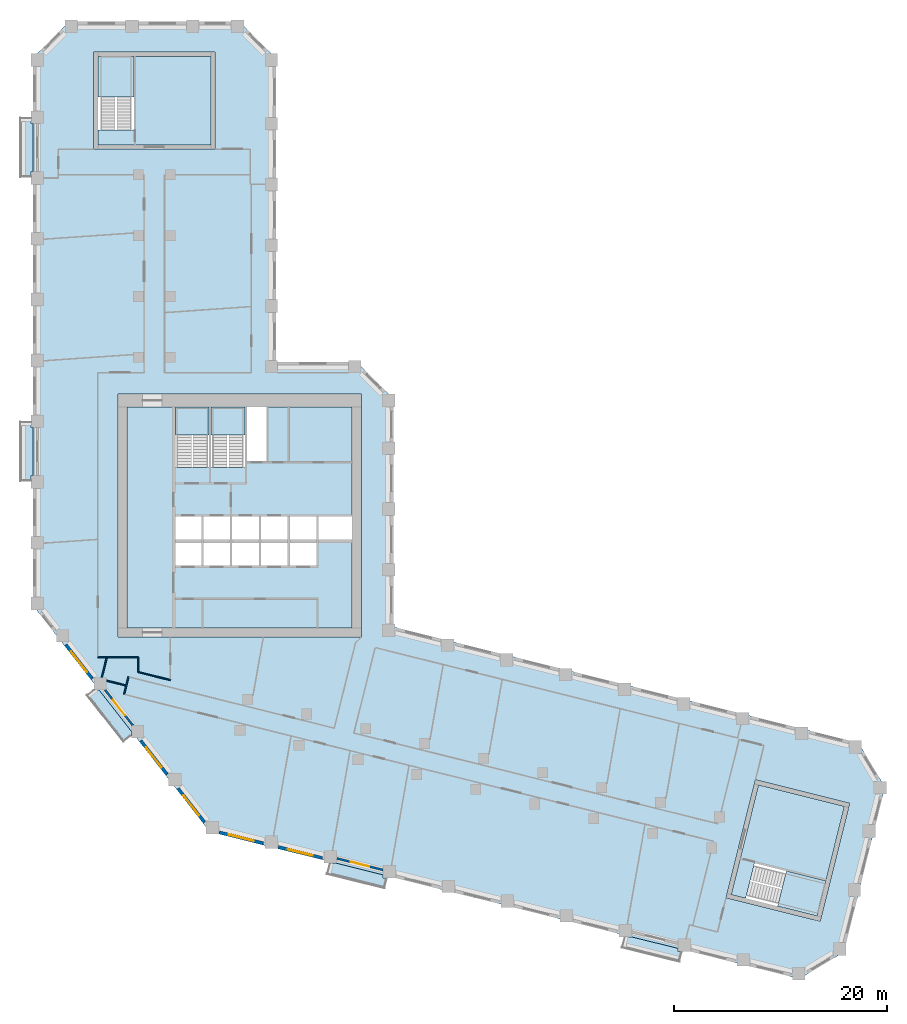
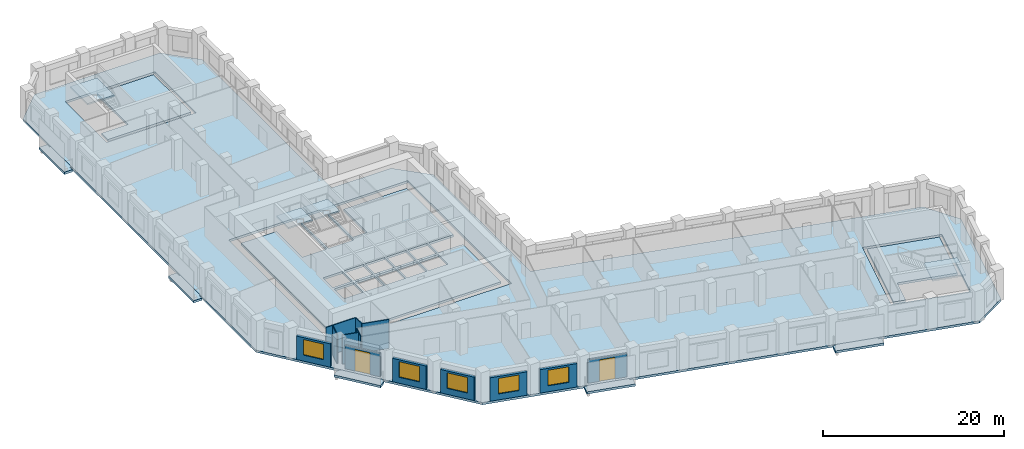
# One storey, part 2 of 10: 13 slabs, 13 walls, 5 windows, 2 doors, 7 openings, 4 elements without a shape of their own.
"""IFC4 building model written with IfcOpenShell, lengths in metres."""

from ifc_helpers import new_model, si_unit, direction, frame, frame_2d, origin, place, context, subcontext, project, spatial, polyline, rectangle, outline, extrude, material, layer, layer_set, type_object, element, fill, aggregate, save


model = new_model("IFC4")

# Units and contexts
model_context = context("Model", 3, precision=1e-05, world=origin(), true_north=direction((0.0, 1.0)))
body_context = subcontext(model_context, "Body", "Model", "MODEL_VIEW")
ifc_project = project(units=[si_unit("LENGTHUNIT", "METRE"), si_unit("AREAUNIT", "SQUARE_METRE"), si_unit("VOLUMEUNIT", "CUBIC_METRE"), si_unit("PLANEANGLEUNIT", "RADIAN"), si_unit("MASSUNIT", "GRAM", prefix="KILO")], contexts=[model_context])

# Site, building, storey
site_placement = place(None, origin())
site = spatial("IfcSite", under=ifc_project, at=site_placement, CompositionType="ELEMENT")
building_placement = place(site_placement, origin())
building = spatial("IfcBuilding", under=site, at=building_placement, Name="Meshkara Civic Tower", CompositionType="ELEMENT")
storey_placement = place(building_placement, frame((0.0, 0.0, 199.199951171875)))
storey = spatial("IfcBuildingStorey", under=building, at=storey_placement, Name="L45", CompositionType="ELEMENT", Elevation=199.199951171875)

# Slabs
ifc_material_1 = material(Name="Concrete C40", Category="concrete")
ifc_layer_1 = layer(ifc_material_1, 0.300048828125)
ifc_layer_set_1 = layer_set([ifc_layer_1], Name="BALCONY SLAB")
slab_type_1 = type_object("IfcSlabType", Name="BALCONY SLAB", PredefinedType="FLOOR", material=ifc_layer_set_1)
slab_1_placement = place(storey_placement, frame((0.0, 0.0, -0.300048828125)))
element("IfcSlab", 1, at=slab_1_placement, inside=storey, type_object=slab_type_1, Name="Balcony slab", PredefinedType="FLOOR", context=body_context, shape_type="SweptSolid", body=[
    extrude(outline(polyline([(-1.199951171875, 57.215087890625), (-1.199951171875, 62.794921875), (-0.14990234375, 62.794921875), (-0.14990234375, 62.2548828125), (0.0, 62.2548828125), (0.0, 57.7548828125), (-0.14990234375, 57.7548828125), (-0.14990234375, 57.215087890625), (-1.199951171875, 57.215087890625)])), origin(), (0.0, 0.0, 1.0), 0.300048828125),
])
slab_2_placement = place(storey_placement, frame((0.0, 0.0, -0.300048828125)))
element("IfcSlab", 2, at=slab_2_placement, inside=storey, type_object=slab_type_1, Name="Balcony slab", PredefinedType="FLOOR", context=body_context, shape_type="SweptSolid", body=[
    extrude(outline(polyline([(-1.199951171875, 28.715087890625), (-1.199951171875, 34.294921875), (-0.14990234375, 34.294921875), (-0.14990234375, 33.7548828125), (0.0, 33.7548828125), (0.0, 29.2548828125), (-0.14990234375, 29.2548828125), (-0.14990234375, 28.715087890625), (-1.199951171875, 28.715087890625)])), origin(), (0.0, 0.0, 1.0), 0.300048828125),
])
slab_3_placement = place(storey_placement, frame((0.0, 0.0, -0.300048828125)))
element("IfcSlab", 3, at=slab_3_placement, inside=storey, type_object=slab_type_1, Name="Balcony slab", PredefinedType="FLOOR", context=body_context, shape_type="SweptSolid", body=[
    extrude(outline(polyline([(8.49609375, 4.27587890625), (5.06005859375, 8.674072265625), (5.722900390625, 9.19189453125), (5.722900390625, 9.136962890625), (6.220947265625, 9.136962890625), (9.23291015625, 5.281982421875), (9.23291015625, 4.85205078125), (8.49609375, 4.27587890625)])), origin(), (0.0, 0.0, 1.0), 0.300048828125),
])
slab_4_placement = place(storey_placement, frame((0.0, 0.0, -0.300048828125)))
element("IfcSlab", 4, at=slab_4_placement, inside=storey, type_object=slab_type_1, Name="Balcony slab", PredefinedType="FLOOR", context=body_context, shape_type="SweptSolid", body=[
    extrude(outline(polyline([(32.986083984375, -9.4609375), (27.571044921875, -8.111083984375), (27.823974609375, -7.095947265625), (28.4599609375, -7.095947265625), (32.843017578125, -8.18896484375), (32.843017578125, -8.47509765625), (33.23193359375, -8.47509765625), (32.986083984375, -9.4609375)])), origin(), (0.0, 0.0, 1.0), 0.300048828125),
])
slab_5_placement = place(storey_placement, frame((0.0, 0.0, -0.300048828125)))
element("IfcSlab", 5, at=slab_5_placement, inside=storey, type_object=slab_type_1, Name="Balcony slab", PredefinedType="FLOOR", context=body_context, shape_type="SweptSolid", body=[
    extrude(outline(polyline([(60.639892578125, -16.35595703125), (55.22509765625, -15.006103515625), (55.47802734375, -13.989990234375), (56.112060546875, -13.989990234375), (60.4970703125, -15.0830078125), (60.4970703125, -15.368896484375), (60.885986328125, -15.368896484375), (60.639892578125, -16.35595703125)])), origin(), (0.0, 0.0, 1.0), 0.300048828125),
])
ifc_material_2 = material(Name="Concrete C40/50", Category="concrete")
ifc_layer_2 = layer(ifc_material_2, 0.300048828125)
ifc_layer_set_2 = layer_set([ifc_layer_2], Name="Core floor slab 300 C40/50")
slab_type_2 = type_object("IfcSlabType", Name="Core floor slab 300 C40/50", PredefinedType="FLOOR", material=ifc_layer_set_2)
slab_6_placement = place(storey_placement, frame((0.0, 0.0, -0.300048828125)))
element("IfcSlab", 6, at=slab_6_placement, inside=storey, type_object=slab_type_2, Name="Core floor K", PredefinedType="FLOOR", context=body_context, shape_type="SweptSolid", body=[
    extrude(outline(polyline([(8.85009765625, 35.699951171875), (13.3701171875, 35.699951171875), (13.3701171875, 30.00146484375), (16.5, 30.00146484375), (16.5, 35.699951171875), (16.699951171875, 35.699951171875), (16.699951171875, 30.00146484375), (19.89990234375, 30.00146484375), (19.89990234375, 35.699951171875), (20.10009765625, 35.699951171875), (20.10009765625, 30.574951171875), (21.925048828125, 30.574951171875), (21.925048828125, 35.699951171875), (29.949951171875, 35.699951171875), (29.949951171875, 25.39990234375), (26.800048828125, 25.39990234375), (26.800048828125, 23.27001953125), (29.949951171875, 23.27001953125), (29.949951171875, 14.949951171875), (8.85009765625, 14.949951171875), (8.85009765625, 35.699951171875)]), holes=[polyline([(15.800048828125, 22.929931640625), (13.3701171875, 22.929931640625), (13.3701171875, 20.800048828125), (15.800048828125, 20.800048828125), (15.800048828125, 22.929931640625)]), polyline([(16.0, 22.929931640625), (16.0, 20.800048828125), (18.5, 20.800048828125), (18.5, 22.929931640625), (16.0, 22.929931640625)]), polyline([(18.699951171875, 22.929931640625), (18.699951171875, 20.800048828125), (21.199951171875, 20.800048828125), (21.199951171875, 22.929931640625), (18.699951171875, 22.929931640625)]), polyline([(15.800048828125, 23.27001953125), (15.800048828125, 25.39990234375), (13.3701171875, 25.39990234375), (13.3701171875, 23.27001953125), (15.800048828125, 23.27001953125)]), polyline([(16.0, 25.39990234375), (16.0, 23.27001953125), (18.5, 23.27001953125), (18.5, 25.39990234375), (16.0, 25.39990234375)]), polyline([(23.89990234375, 20.800048828125), (23.89990234375, 22.929931640625), (21.39990234375, 22.929931640625), (21.39990234375, 20.800048828125), (23.89990234375, 20.800048828125)]), polyline([(24.10009765625, 20.800048828125), (26.60009765625, 20.800048828125), (26.60009765625, 22.929931640625), (24.10009765625, 22.929931640625), (24.10009765625, 20.800048828125)]), polyline([(18.699951171875, 25.39990234375), (18.699951171875, 23.27001953125), (21.199951171875, 23.27001953125), (21.199951171875, 25.39990234375), (18.699951171875, 25.39990234375)]), polyline([(21.39990234375, 23.27001953125), (23.89990234375, 23.27001953125), (23.89990234375, 25.39990234375), (21.39990234375, 25.39990234375), (21.39990234375, 23.27001953125)]), polyline([(24.10009765625, 23.27001953125), (26.60009765625, 23.27001953125), (26.60009765625, 25.39990234375), (24.10009765625, 25.39990234375), (24.10009765625, 23.27001953125)])]), origin(), (0.0, 0.0, 1.0), 0.300048828125),
])
slab_7_placement = place(storey_placement, frame((0.0, 0.0, -0.300048828125)))
element("IfcSlab", 7, at=slab_7_placement, inside=storey, type_object=slab_type_2, Name="Core floor EA", PredefinedType="FLOOR", context=body_context, shape_type="SweptSolid", body=[
    extrude(outline(polyline([(16.699951171875, 60.27001953125), (16.699951171875, 68.570068359375), (9.5, 68.570068359375), (9.5, 61.67138671875), (6.10009765625, 61.67138671875), (6.10009765625, 60.27001953125), (16.699951171875, 60.27001953125)])), origin(), (0.0, 0.0, 1.0), 0.300048828125),
])
slab_8_placement = place(storey_placement, frame((0.0, 0.0, -0.300048828125)))
element("IfcSlab", 8, at=slab_8_placement, inside=storey, type_object=slab_type_2, Name="Core floor EB", PredefinedType="FLOOR", context=body_context, shape_type="SweptSolid", body=[
    extrude(outline(polyline([(68.050537109375, 0.244384765625), (76.10400390625, -1.763671875), (74.362060546875, -8.749755859375), (67.66845703125, -7.080810546875), (66.845947265625, -10.3798828125), (65.486083984375, -10.040771484375), (68.050537109375, 0.244384765625)])), origin(), (0.0, 0.0, 1.0), 0.300048828125),
])

# Stair, slab
ifc_material_3 = material(Name="Precast concrete C40/50", Category="concrete")
stair_type = type_object("IfcStairType", Name="Exit stair half-turn 24 risers precast", PredefinedType="HALF_TURN_STAIR", material=ifc_material_3)
stair_1_placement = place(storey_placement, origin())
stair_1 = element("IfcStair", 9, at=stair_1_placement, inside=storey, type_object=stair_type, Name="L45 exit stair 1", PredefinedType="HALF_TURN_STAIR")
ifc_material_4 = material(Name="Precast concrete C40/50", Category="concrete")
ifc_layer_3 = layer(ifc_material_4, 0.199951171875)
ifc_layer_set_3 = layer_set([ifc_layer_3], Name="Exit stair landing 200")
slab_type_3 = type_object("IfcSlabType", Name="Exit stair landing 200", PredefinedType="LANDING", material=ifc_layer_set_3)
slab_9_placement = place(storey_placement, frame((0.0, 0.0, 1.900146484375)))
slab_9 = element("IfcSlab", 10, at=slab_9_placement, type_object=slab_type_3, Name="ST1 landing 1", PredefinedType="LANDING", context=body_context, shape_type="SweptSolid", body=[
    extrude(outline(polyline([(16.5, 33.07861328125), (16.5, 35.699951171875), (13.3701171875, 35.699951171875), (13.3701171875, 33.07861328125), (16.5, 33.07861328125)])), origin(), (0.0, 0.0, 1.0), 0.199951171875),
])
aggregate(stair_1, [slab_9])

stair_2_placement = place(storey_placement, origin())
stair_2 = element("IfcStair", 11, at=stair_2_placement, inside=storey, type_object=stair_type, Name="L45 exit stair 2", PredefinedType="HALF_TURN_STAIR")
slab_10_placement = place(storey_placement, frame((0.0, 0.0, 1.900146484375)))
slab_10 = element("IfcSlab", 12, at=slab_10_placement, type_object=slab_type_3, Name="ST2 landing 1", PredefinedType="LANDING", context=body_context, shape_type="SweptSolid", body=[
    extrude(outline(polyline([(19.89990234375, 33.07861328125), (19.89990234375, 35.699951171875), (16.699951171875, 35.699951171875), (16.699951171875, 33.07861328125), (19.89990234375, 33.07861328125)])), origin(), (0.0, 0.0, 1.0), 0.199951171875),
])
aggregate(stair_2, [slab_10])

stair_3_placement = place(storey_placement, origin())
stair_3 = element("IfcStair", 13, at=stair_3_placement, inside=storey, type_object=stair_type, Name="L45 exit stair A from L35", PredefinedType="HALF_TURN_STAIR")
slab_11_placement = place(storey_placement, frame((0.0, 0.0, 1.900146484375)))
slab_11 = element("IfcSlab", 14, at=slab_11_placement, type_object=slab_type_3, Name="ESA3 landing 1", PredefinedType="LANDING", context=body_context, shape_type="SweptSolid", body=[
    extrude(outline(polyline([(9.5, 64.74853515625), (9.5, 68.570068359375), (6.10009765625, 68.570068359375), (6.10009765625, 64.74853515625), (9.5, 64.74853515625)])), origin(), (0.0, 0.0, 1.0), 0.199951171875),
])
aggregate(stair_3, [slab_11])

stair_4_placement = place(storey_placement, origin())
stair_4 = element("IfcStair", 15, at=stair_4_placement, inside=storey, type_object=stair_type, Name="L45 exit stair B from L35", PredefinedType="HALF_TURN_STAIR")
slab_12_placement = place(storey_placement, frame((0.0, 0.0, 1.900146484375)))
slab_12 = element("IfcSlab", 16, at=slab_12_placement, type_object=slab_type_3, Name="ESB3 landing 1", PredefinedType="LANDING", context=body_context, shape_type="SweptSolid", body=[
    extrude(outline(polyline([(69.831298828125, -11.124755859375), (73.5400390625, -12.049072265625), (74.3623046875, -8.7490234375), (70.653564453125, -7.82470703125), (69.831298828125, -11.124755859375)])), origin(), (0.0, 0.0, 1.0), 0.199951171875),
])
aggregate(stair_4, [slab_12])

# Slab
ifc_material_5 = material(Name="Concrete C50", Category="concrete")
ifc_layer_4 = layer(ifc_material_5, 0.300048828125)
ifc_layer_set_4 = layer_set([ifc_layer_4], Name="Post-tensioned flat slab 300 C50")
slab_type_4 = type_object("IfcSlabType", Name="Post-tensioned flat slab 300 C50", PredefinedType="FLOOR", material=ifc_layer_set_4)
slab_13_placement = place(storey_placement, frame((0.0, 0.0, -0.300048828125)))
element("IfcSlab", 17, at=slab_13_placement, inside=storey, type_object=slab_type_4, Name="Post-tensioned flat slab L45", PredefinedType="FLOOR", context=body_context, shape_type="SweptSolid", body=[
    extrude(outline(polyline([(76.044921875, -15.43505859375), (71.89892578125, -17.926025390625), (16.592041015625, -4.136962890625), (0.0, 17.10009765625), (0.0, 68.39990234375), (3.419921875, 71.820068359375), (19.3798828125, 71.820068359375), (22.800048828125, 68.39990234375), (22.800048828125, 39.89990234375), (30.3798828125, 39.89990234375), (33.800048828125, 36.47998046875), (33.800048828125, 15.071044921875), (77.4150390625, 4.196044921875), (79.906005859375, 0.051025390625), (76.044921875, -15.43505859375)]), holes=[polyline([(73.8310546875, -12.533935546875), (76.589111328125, -1.471923828125), (67.759033203125, 0.72900390625), (65.0009765625, -10.33203125), (73.8310546875, -12.533935546875)]), polyline([(8.0, 14.10009765625), (30.800048828125, 14.10009765625), (30.800048828125, 36.89990234375), (8.0, 36.89990234375), (8.0, 14.10009765625)]), polyline([(5.699951171875, 68.969970703125), (5.699951171875, 59.8701171875), (17.10009765625, 59.8701171875), (17.10009765625, 68.969970703125), (5.699951171875, 68.969970703125)])]), origin(), (0.0, 0.0, 1.0), 0.300048828125),
])

# Walls
ifc_material_6 = material(Name="Corridor wall 100")
ifc_layer_5 = layer(ifc_material_6, 0.10009765625)
ifc_layer_set_5 = layer_set([ifc_layer_5], Name="Corridor wall 100")
wall_type_1 = type_object("IfcWallType", Name="Corridor wall 100", PredefinedType="PARTITIONING", material=ifc_layer_set_5)
wall_1_placement = place(storey_placement, frame((6.10009765625, 12.199951171875, 0.0), z_axis=(0.0, 0.0, 1.0), x_axis=(1.0, 0.0, 0.0)))
element("IfcWall", 18, at=wall_1_placement, inside=storey, type_object=wall_type_1, Name="L45-W004", PredefinedType="PARTITIONING", context=body_context, shape_type="SweptSolid", body=[
    extrude(rectangle(XDim=3.7998046875, YDim=0.10009765625, at=frame_2d((1.89990234375, 0.0))), origin(), (0.0, 0.0, 1.0), 3.900146484375),
])
wall_2_placement = place(storey_placement, frame((8.972900390625, 10.382080078125, 0.0), z_axis=(0.0, 0.0, 1.0), x_axis=(-0.241650823739, -0.970363271866, 0.0)))
element("IfcWall", 19, at=wall_2_placement, inside=storey, type_object=wall_type_1, Name="L45-W008", PredefinedType="PARTITIONING", context=body_context, shape_type="SweptSolid", body=[
    extrude(rectangle(XDim=1.688232421875, YDim=0.10009765625, at=frame_2d((0.84423828125, 0.0))), origin(), (0.0, 0.0, 1.0), 3.900146484375),
])
wall_3_placement = place(storey_placement, frame((9.89990234375, 10.825927734375, 0.0), z_axis=(0.0, 0.0, 1.0), x_axis=(0.970290953223, -0.241941038466, 0.0)))
element("IfcWall", 20, at=wall_3_placement, inside=storey, type_object=wall_type_1, Name="L45-W009", PredefinedType="PARTITIONING", context=body_context, shape_type="SweptSolid", body=[
    extrude(rectangle(XDim=3.091796875, YDim=0.10009765625, at=frame_2d((1.5458984375, 0.0))), origin(), (0.0, 0.0, 1.0), 3.900146484375),
])
wall_4_placement = place(storey_placement, frame((9.89990234375, 12.199951171875, 0.0), z_axis=(0.0, 0.0, 1.0), x_axis=(0.0, -1.0, 0.0)))
element("IfcWall", 21, at=wall_4_placement, inside=storey, type_object=wall_type_1, Name="L45-W010", PredefinedType="PARTITIONING", context=body_context, shape_type="SweptSolid", body=[
    extrude(rectangle(XDim=1.3740234375, YDim=0.10009765625, at=frame_2d((0.68701171875, 0.0))), origin(), (0.0, 0.0, 1.0), 3.900146484375),
])

# Wall, opening, window
ifc_material_7 = material(Name="Insulated infill panel with bronze anodised aluminium cladding", Category="aluminium")
ifc_layer_6 = layer(ifc_material_7, 0.300048828125)
ifc_layer_set_6 = layer_set([ifc_layer_6], Name="EXTERNAL INFILL WALL 300")
wall_type_2 = type_object("IfcWallType", Name="EXTERNAL INFILL WALL 300", PredefinedType="SOLIDWALL", material=ifc_layer_set_6)
wall_5_placement = place(storey_placement, frame((3.095947265625, 13.381103515625, 0.0), z_axis=(0.0, 0.0, 1.0), x_axis=(0.615563820493, -0.78808704018, 0.0)))
wall_5 = element("IfcWall", 22, at=wall_5_placement, inside=storey, type_object=wall_type_2, Name="External wall", PredefinedType="SOLIDWALL", context=body_context, shape_type="SweptSolid", body=[
    extrude(rectangle(XDim=4.01611328125, YDim=0.300048828125, at=frame_2d((2.008056640625, 0.0))), origin(), (0.0, 0.0, 1.0), 3.150146484375),
])
opening_1_placement = place(wall_5_placement, frame((0.80810546875, 0.0, 0.800048828125)))
opening_1 = element("IfcOpeningElement", 23, at=opening_1_placement, cuts=wall_5, Name="Opening W7", PredefinedType="OPENING", context=body_context, shape_type="SweptSolid", body=[
    extrude(rectangle(XDim=2.39990234375, YDim=2.10009765625, at=frame_2d((1.199951171875, 1.050048828125))), frame((0.0, 0.159912109375, 0.0), z_axis=(0.0, -1.0, 0.0), x_axis=(1.0, 0.0, 0.0)), (0.0, 0.0, 1.0), 0.320068359375),
])
ifc_material_8 = material(Name="Tinted double glazing", Category="glass")
window_type = type_object("IfcWindowType", Name="WINDOW 2400x2100", PartitioningType="DOUBLE_PANEL_VERTICAL", PredefinedType="WINDOW", material=ifc_material_8)
window_1_placement = place(opening_1_placement, origin())
window_1 = element("IfcWindow", 24, at=window_1_placement, inside=storey, type_object=window_type, Name="Window", OverallHeight=2.10009765625, OverallWidth=2.39990234375, PartitioningType="DOUBLE_PANEL_VERTICAL", PredefinedType="WINDOW", context=body_context, shape_type="SweptSolid", body=[
    extrude(rectangle(XDim=2.39990234375, YDim=2.10009765625, at=frame_2d((1.199951171875, 1.050048828125))), frame((0.0, 0.030029296875, 0.0), z_axis=(0.0, -1.0, 0.0), x_axis=(1.0, 0.0, 0.0)), (0.0, 0.0, 1.0), 0.06005859375),
])
fill(opening_1, window_1)

wall_6_placement = place(storey_placement, frame((10.114990234375, 4.39697265625, 0.0), z_axis=(0.0, 0.0, 1.0), x_axis=(0.615644041972, -0.788024373725, 0.0)))
wall_6 = element("IfcWall", 25, at=wall_6_placement, inside=storey, type_object=wall_type_2, Name="External wall", PredefinedType="SOLIDWALL", context=body_context, shape_type="SweptSolid", body=[
    extrude(rectangle(XDim=4.01513671875, YDim=0.300048828125, at=frame_2d((2.007568359375, 0.0))), origin(), (0.0, 0.0, 1.0), 3.150146484375),
])
opening_2_placement = place(wall_6_placement, frame((0.806884765625, 0.0, 0.800048828125)))
opening_2 = element("IfcOpeningElement", 26, at=opening_2_placement, cuts=wall_6, Name="Opening W7", PredefinedType="OPENING", context=body_context, shape_type="SweptSolid", body=[
    extrude(rectangle(XDim=2.39990234375, YDim=2.10009765625, at=frame_2d((1.199951171875, 1.050048828125))), frame((0.0, 0.159912109375, 0.0), z_axis=(0.0, -1.0, 0.0), x_axis=(1.0, 0.0, 0.0)), (0.0, 0.0, 1.0), 0.320068359375),
])
window_2_placement = place(opening_2_placement, origin())
window_2 = element("IfcWindow", 27, at=window_2_placement, inside=storey, type_object=window_type, Name="Window", OverallHeight=2.10009765625, OverallWidth=2.39990234375, PartitioningType="DOUBLE_PANEL_VERTICAL", PredefinedType="WINDOW", context=body_context, shape_type="SweptSolid", body=[
    extrude(rectangle(XDim=2.39990234375, YDim=2.10009765625, at=frame_2d((1.199951171875, 1.050048828125))), frame((0.0, 0.030029296875, 0.0), z_axis=(0.0, -1.0, 0.0), x_axis=(1.0, 0.0, 0.0)), (0.0, 0.0, 1.0), 0.06005859375),
])
fill(opening_2, window_2)

wall_7_placement = place(storey_placement, frame((13.6240234375, -0.093994140625, 0.0), z_axis=(0.0, 0.0, 1.0), x_axis=(0.615526062586, -0.7881165309, 0.0)))
wall_7 = element("IfcWall", 28, at=wall_7_placement, inside=storey, type_object=wall_type_2, Name="External wall", PredefinedType="SOLIDWALL", context=body_context, shape_type="SweptSolid", body=[
    extrude(rectangle(XDim=4.015869140625, YDim=0.300048828125, at=frame_2d((2.0078125, 0.0))), origin(), (0.0, 0.0, 1.0), 3.150146484375),
])
opening_3_placement = place(wall_7_placement, frame((0.80810546875, 0.0, 0.800048828125)))
opening_3 = element("IfcOpeningElement", 29, at=opening_3_placement, cuts=wall_7, Name="Opening W7", PredefinedType="OPENING", context=body_context, shape_type="SweptSolid", body=[
    extrude(rectangle(XDim=2.39990234375, YDim=2.10009765625, at=frame_2d((1.199951171875, 1.050048828125))), frame((0.0, 0.159912109375, 0.0), z_axis=(0.0, -1.0, 0.0), x_axis=(1.0, 0.0, 0.0)), (0.0, 0.0, 1.0), 0.320068359375),
])
window_3_placement = place(opening_3_placement, origin())
window_3 = element("IfcWindow", 30, at=window_3_placement, inside=storey, type_object=window_type, Name="Window", OverallHeight=2.10009765625, OverallWidth=2.39990234375, PartitioningType="DOUBLE_PANEL_VERTICAL", PredefinedType="WINDOW", context=body_context, shape_type="SweptSolid", body=[
    extrude(rectangle(XDim=2.39990234375, YDim=2.10009765625, at=frame_2d((1.199951171875, 1.050048828125))), frame((0.0, 0.030029296875, 0.0), z_axis=(0.0, -1.0, 0.0), x_axis=(1.0, 0.0, 0.0)), (0.0, 0.0, 1.0), 0.06005859375),
])
fill(opening_3, window_3)

wall_8_placement = place(storey_placement, frame((17.48388671875, -4.205078125, 0.0), z_axis=(0.0, 0.0, 1.0), x_axis=(0.970318118028, -0.241832069473, 0.0)))
wall_8 = element("IfcWall", 31, at=wall_8_placement, inside=storey, type_object=wall_type_2, Name="External wall", PredefinedType="SOLIDWALL", context=body_context, shape_type="SweptSolid", body=[
    extrude(rectangle(XDim=4.24609375, YDim=0.300048828125, at=frame_2d((2.123046875, 0.0))), origin(), (0.0, 0.0, 1.0), 3.150146484375),
])
opening_4_placement = place(wall_8_placement, frame((0.923095703125, 0.0, 0.800048828125)))
opening_4 = element("IfcOpeningElement", 32, at=opening_4_placement, cuts=wall_8, Name="Opening W7", PredefinedType="OPENING", context=body_context, shape_type="SweptSolid", body=[
    extrude(rectangle(XDim=2.39990234375, YDim=2.10009765625, at=frame_2d((1.199951171875, 1.050048828125))), frame((0.0, 0.159912109375, 0.0), z_axis=(0.0, -1.0, 0.0), x_axis=(1.0, 0.0, 0.0)), (0.0, 0.0, 1.0), 0.320068359375),
])
window_4_placement = place(opening_4_placement, origin())
window_4 = element("IfcWindow", 33, at=window_4_placement, inside=storey, type_object=window_type, Name="Window", OverallHeight=2.10009765625, OverallWidth=2.39990234375, PartitioningType="DOUBLE_PANEL_VERTICAL", PredefinedType="WINDOW", context=body_context, shape_type="SweptSolid", body=[
    extrude(rectangle(XDim=2.39990234375, YDim=2.10009765625, at=frame_2d((1.199951171875, 1.050048828125))), frame((0.0, 0.030029296875, 0.0), z_axis=(0.0, -1.0, 0.0), x_axis=(1.0, 0.0, 0.0)), (0.0, 0.0, 1.0), 0.06005859375),
])
fill(opening_4, window_4)

wall_9_placement = place(storey_placement, frame((23.014892578125, -5.583984375, 0.0), z_axis=(0.0, 0.0, 1.0), x_axis=(0.970291164166, -0.241940192487, 0.0)))
wall_9 = element("IfcWall", 34, at=wall_9_placement, inside=storey, type_object=wall_type_2, Name="External wall", PredefinedType="SOLIDWALL", context=body_context, shape_type="SweptSolid", body=[
    extrude(rectangle(XDim=4.245361328125, YDim=0.300048828125, at=frame_2d((2.12255859375, 0.0))), origin(), (0.0, 0.0, 1.0), 3.150146484375),
])
opening_5_placement = place(wall_9_placement, frame((0.922119140625, 0.0, 0.800048828125)))
opening_5 = element("IfcOpeningElement", 35, at=opening_5_placement, cuts=wall_9, Name="Opening W7", PredefinedType="OPENING", context=body_context, shape_type="SweptSolid", body=[
    extrude(rectangle(XDim=2.39990234375, YDim=2.10009765625, at=frame_2d((1.199951171875, 1.050048828125))), frame((0.0, 0.159912109375, 0.0), z_axis=(0.0, -1.0, 0.0), x_axis=(1.0, 0.0, 0.0)), (0.0, 0.0, 1.0), 0.320068359375),
])
window_5_placement = place(opening_5_placement, origin())
window_5 = element("IfcWindow", 36, at=window_5_placement, inside=storey, type_object=window_type, Name="Window", OverallHeight=2.10009765625, OverallWidth=2.39990234375, PartitioningType="DOUBLE_PANEL_VERTICAL", PredefinedType="WINDOW", context=body_context, shape_type="SweptSolid", body=[
    extrude(rectangle(XDim=2.39990234375, YDim=2.10009765625, at=frame_2d((1.199951171875, 1.050048828125))), frame((0.0, 0.030029296875, 0.0), z_axis=(0.0, -1.0, 0.0), x_axis=(1.0, 0.0, 0.0)), (0.0, 0.0, 1.0), 0.06005859375),
])
fill(opening_5, window_5)

# Wall, opening, door
ifc_material_9 = material(Name="Insulated infill panel with bronze anodised aluminium cladding", Category="aluminium")
ifc_layer_7 = layer(ifc_material_9, 0.199951171875)
ifc_layer_set_7 = layer_set([ifc_layer_7], Name="LOGGIA BACK WALL 200")
wall_type_3 = type_object("IfcWallType", Name="LOGGIA BACK WALL 200", PredefinedType="SOLIDWALL", material=ifc_layer_set_7)
wall_10_placement = place(storey_placement, frame((6.79296875, 9.136962890625, 0.0), z_axis=(0.0, 0.0, 1.0), x_axis=(0.615521537177, -0.788120065264, 0.0)))
wall_10 = element("IfcWall", 37, at=wall_10_placement, inside=storey, type_object=wall_type_3, Name="Loggia wall", PredefinedType="SOLIDWALL", context=body_context, shape_type="SweptSolid", body=[
    extrude(rectangle(XDim=4.177001953125, YDim=0.199951171875, at=frame_2d((2.08837890625, 0.0))), origin(), (0.0, 0.0, 1.0), 3.150146484375),
])
opening_6_placement = place(wall_10_placement, frame((1.18798828125, 0.0, 0.0)))
opening_6 = element("IfcOpeningElement", 38, at=opening_6_placement, cuts=wall_10, Name="Opening L45-L003", PredefinedType="OPENING", context=body_context, shape_type="SweptSolid", body=[
    extrude(rectangle(XDim=1.800048828125, YDim=2.89990234375, at=frame_2d((0.89990234375, 1.449951171875))), frame((0.0, 0.10986328125, 0.0), z_axis=(0.0, -1.0, 0.0), x_axis=(1.0, 0.0, 0.0)), (0.0, 0.0, 1.0), 0.219970703125),
])
ifc_material_10 = material(Name="Tinted double glazing", Category="glass")
door_type = type_object("IfcDoorType", Name="LOGGIA DOOR 1800x2900", OperationType="DOUBLE_DOOR_SINGLE_SWING", PredefinedType="DOOR", material=ifc_material_10)
door_1_placement = place(opening_6_placement, origin())
door_1 = element("IfcDoor", 39, at=door_1_placement, inside=storey, type_object=door_type, Name="L45-L003", OperationType="DOUBLE_DOOR_SINGLE_SWING", OverallHeight=2.89990234375, OverallWidth=1.800048828125, PredefinedType="DOOR", context=body_context, shape_type="SweptSolid", body=[
    extrude(rectangle(XDim=1.800048828125, YDim=2.89990234375, at=frame_2d((0.89990234375, 1.449951171875))), frame((0.0, 0.02490234375, 0.0), z_axis=(0.0, -1.0, 0.0), x_axis=(1.0, 0.0, 0.0)), (0.0, 0.0, 1.0), 0.050048828125),
])
fill(opening_6, door_1)

wall_11_placement = place(storey_placement, frame((28.511962890625, -6.64501953125, 0.0), z_axis=(0.0, 0.0, 1.0), x_axis=(0.970283897632, -0.241969332758, 0.0)))
wall_11 = element("IfcWall", 40, at=wall_11_placement, inside=storey, type_object=wall_type_3, Name="Loggia wall", PredefinedType="SOLIDWALL", context=body_context, shape_type="SweptSolid", body=[
    extrude(rectangle(XDim=4.463623046875, YDim=0.199951171875, at=frame_2d((2.23193359375, 0.0))), origin(), (0.0, 0.0, 1.0), 3.150146484375),
])
opening_7_placement = place(wall_11_placement, frame((1.3310546875, 0.0, 0.0)))
opening_7 = element("IfcOpeningElement", 41, at=opening_7_placement, cuts=wall_11, Name="Opening L45-L004", PredefinedType="OPENING", context=body_context, shape_type="SweptSolid", body=[
    extrude(rectangle(XDim=1.800048828125, YDim=2.89990234375, at=frame_2d((0.89990234375, 1.449951171875))), frame((0.0, 0.10986328125, 0.0), z_axis=(0.0, -1.0, 0.0), x_axis=(1.0, 0.0, 0.0)), (0.0, 0.0, 1.0), 0.219970703125),
])
door_2_placement = place(opening_7_placement, origin())
door_2 = element("IfcDoor", 42, at=door_2_placement, inside=storey, type_object=door_type, Name="L45-L004", OperationType="DOUBLE_DOOR_SINGLE_SWING", OverallHeight=2.89990234375, OverallWidth=1.800048828125, PredefinedType="DOOR", context=body_context, shape_type="SweptSolid", body=[
    extrude(rectangle(XDim=1.800048828125, YDim=2.89990234375, at=frame_2d((0.89990234375, 1.449951171875))), frame((0.0, 0.02490234375, 0.0), z_axis=(0.0, -1.0, 0.0), x_axis=(1.0, 0.0, 0.0)), (0.0, 0.0, 1.0), 0.050048828125),
])
fill(opening_7, door_2)

# Walls
ifc_material_11 = material(Name="Partition 100")
ifc_layer_8 = layer(ifc_material_11, 0.10009765625)
ifc_layer_set_8 = layer_set([ifc_layer_8], Name="Partition 100")
wall_type_4 = type_object("IfcWallType", Name="Partition 100", PredefinedType="PARTITIONING", material=ifc_layer_set_8)
wall_12_placement = place(storey_placement, frame((6.922119140625, 12.137939453125, 0.0), z_axis=(0.0, 0.0, 1.0), x_axis=(-0.242504681353, -0.970150235542, 0.0)))
element("IfcWall", 43, at=wall_12_placement, inside=storey, type_object=wall_type_4, Name="L45-W037", PredefinedType="PARTITIONING", context=body_context, shape_type="SweptSolid", body=[
    extrude(rectangle(XDim=1.8564453125, YDim=0.10009765625, at=frame_2d((0.92822265625, 0.0))), origin(), (0.0, 0.0, 1.0), 3.900146484375),
])
wall_13_placement = place(storey_placement, frame((8.719970703125, 9.573974609375, 0.0), z_axis=(0.0, 0.0, 1.0), x_axis=(-0.97017350799, 0.242411559945, 0.0)))
element("IfcWall", 44, at=wall_13_placement, inside=storey, type_object=wall_type_4, Name="L45-W038", PredefinedType="PARTITIONING", context=body_context, shape_type="SweptSolid", body=[
    extrude(rectangle(XDim=1.85205078125, YDim=0.10009765625, at=frame_2d((0.926025390625, 0.0))), origin(), (0.0, 0.0, 1.0), 3.900146484375),
])

save(model, "model.ifc")
